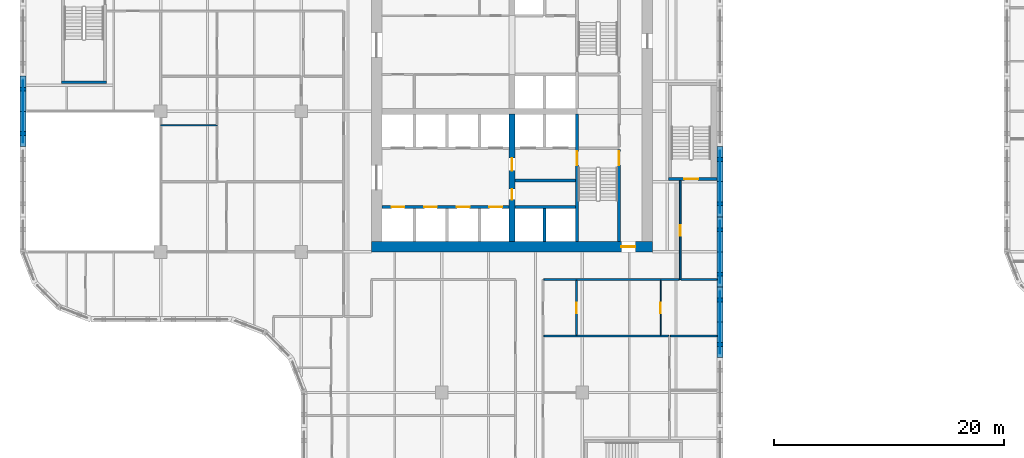
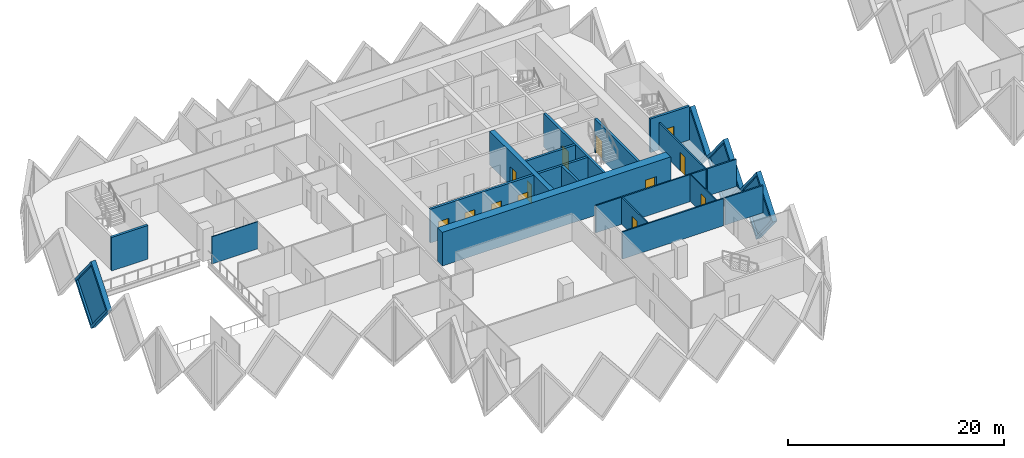
# One storey, part 7 of 19: 22 walls, 13 doors, 4 plates, 17 openings.
"""IFC4 building model written with IfcOpenShell, lengths in metres."""

from ifc_helpers import new_model, si_unit, direction, frame, frame_2d, origin, place, context, subcontext, project, spatial, polyline, rectangle, outline, extrude, faceted_brep, source, transform, mapped, material, layer, layer_set, type_object, element, fill, save


model = new_model("IFC4")

# Units and contexts
model_context = context("Model", 3, precision=1e-05, world=origin(), true_north=direction((0.0, 1.0)))
body_context = subcontext(model_context, "Body", "Model", "MODEL_VIEW")
ifc_project = project(units=[si_unit("LENGTHUNIT", "METRE"), si_unit("AREAUNIT", "SQUARE_METRE"), si_unit("VOLUMEUNIT", "CUBIC_METRE"), si_unit("PLANEANGLEUNIT", "RADIAN"), si_unit("MASSUNIT", "GRAM", prefix="KILO")], contexts=[model_context])

# Site, building, storey
site_placement = place(None, origin())
site = spatial("IfcSite", under=ifc_project, at=site_placement, CompositionType="ELEMENT")
building_placement = place(site_placement, origin())
building = spatial("IfcBuilding", under=site, at=building_placement, Name="Tessera Gate Towers", CompositionType="ELEMENT")
storey_placement = place(building_placement, frame((0.0, 0.0, 29.60009765625)))
storey = spatial("IfcBuildingStorey", under=building, at=storey_placement, Name="L06", CompositionType="ELEMENT", Elevation=29.60009765625)

# Wall, opening, door
ifc_material_1 = material(Name="Concrete C40/50", Category="concrete")
ifc_layer_1 = layer(ifc_material_1, 0.25)
ifc_layer_set_1 = layer_set([ifc_layer_1], Name="CORE ENCLOSURE WALL 250")
wall_type_1 = type_object("IfcWallType", Name="CORE ENCLOSURE WALL 250", PredefinedType="SOLIDWALL", material=ifc_layer_set_1)
wall_1_placement = place(storey_placement, frame((48.35009765625, 36.35009765625, 0.0), z_axis=(0.0, 0.0, 1.0), x_axis=(0.0, -1.0, 0.0)))
wall_1 = element("IfcWall", 1, at=wall_1_placement, inside=storey, type_object=wall_type_1, Name="L06 shaft and stair enclosure wall", PredefinedType="SOLIDWALL", context=body_context, shape_type="SweptSolid", body=[
    extrude(rectangle(XDim=11.050048828125, YDim=0.25, at=frame_2d((5.52490234375, 0.0))), origin(), (0.0, 0.0, 1.0), 3.7998046875),
])
shared_shape_1 = source(origin(), body_context, "Body", "SweptSolid", [
    extrude(rectangle(XDim=1.199951171875, YDim=2.10009765625, at=frame_2d((0.60009765625, 1.050048828125))), frame((0.0, 0.135009765625, 0.0), z_axis=(0.0, -1.0, 0.0), x_axis=(1.0, 0.0, 0.0)), (0.0, 0.0, 1.0), 0.27001953125),
])
opening_1_placement = place(wall_1_placement, frame((3.22509765625, 0.0, 0.0)))
opening_1 = element("IfcOpeningElement", 2, at=opening_1_placement, cuts=wall_1, Name="Opening SD-ST1-1", PredefinedType="OPENING", context=body_context, shape_type="MappedRepresentation", body=[
    mapped(shared_shape_1, transform((0.0, 0.0, 0.0), scale=1.0)),
])
ifc_material_2 = material(Name="Hollow steel fire door", Category="steel")
door_type_1 = type_object("IfcDoorType", Name="CORE DOOR SD 1200x2100", OperationType="NOTDEFINED", PredefinedType="DOOR", material=ifc_material_2)
shared_shape_2 = source(origin(), body_context, "Body", "SweptSolid", [
    extrude(rectangle(XDim=1.199951171875, YDim=2.10009765625, at=frame_2d((0.60009765625, 1.050048828125))), frame((0.0, 0.02490234375, 0.0), z_axis=(0.0, -1.0, 0.0), x_axis=(1.0, 0.0, 0.0)), (0.0, 0.0, 1.0), 0.050048828125),
])
door_1_placement = place(opening_1_placement, origin())
door_1 = element("IfcDoor", 3, at=door_1_placement, inside=storey, type_object=door_type_1, Name="Stair door", OperationType="SINGLE_SWING_LEFT", OverallHeight=2.10009765625, OverallWidth=1.199951171875, PredefinedType="DOOR", context=body_context, shape_type="MappedRepresentation", body=[
    mapped(shared_shape_2, transform((0.0, 0.0, 0.0), scale=1.0)),
])
fill(opening_1, door_1)

# Wall, openings, doors
wall_2_placement = place(storey_placement, frame((31.39990234375, 28.300048828125, 0.0), z_axis=(0.0, 0.0, 1.0), x_axis=(1.0, 0.0, 0.0)))
wall_2 = element("IfcWall", 4, at=wall_2_placement, inside=storey, type_object=wall_type_1, Name="L06 shaft and stair enclosure wall", PredefinedType="SOLIDWALL", context=body_context, shape_type="SweptSolid", body=[
    extrude(rectangle(XDim=11.050048828125, YDim=0.25, at=frame_2d((5.52490234375, 0.0))), origin(), (0.0, 0.0, 1.0), 3.7998046875),
])
shared_shape_3 = source(origin(), body_context, "Body", "SweptSolid", [
    extrude(rectangle(XDim=1.10009765625, YDim=2.10009765625, at=frame_2d((0.550048828125, 1.050048828125))), frame((0.0, 0.135009765625, 0.0), z_axis=(0.0, -1.0, 0.0), x_axis=(1.0, 0.0, 0.0)), (0.0, 0.0, 1.0), 0.27001953125),
])
opening_2_placement = place(wall_2_placement, frame((0.862548828125, 0.0, 0.0)))
opening_2 = element("IfcOpeningElement", 5, at=opening_2_placement, cuts=wall_2, Name="Opening LD-LR1", PredefinedType="OPENING", context=body_context, shape_type="MappedRepresentation", body=[
    mapped(shared_shape_3, transform((0.0, 0.0, 0.0), scale=1.0)),
])
opening_3_placement = place(wall_2_placement, frame((3.6875, 0.0, 0.0)))
opening_3 = element("IfcOpeningElement", 6, at=opening_3_placement, cuts=wall_2, Name="Opening LD-LR2", PredefinedType="OPENING", context=body_context, shape_type="MappedRepresentation", body=[
    mapped(shared_shape_3, transform((0.0, 0.0, 0.0), scale=1.0)),
])
opening_4_placement = place(wall_2_placement, frame((6.512451171875, 0.0, 0.0)))
opening_4 = element("IfcOpeningElement", 7, at=opening_4_placement, cuts=wall_2, Name="Opening LD-LR3", PredefinedType="OPENING", context=body_context, shape_type="MappedRepresentation", body=[
    mapped(shared_shape_3, transform((0.0, 0.0, 0.0), scale=1.0)),
])
opening_5_placement = place(wall_2_placement, frame((9.33740234375, 0.0, 0.0)))
opening_5 = element("IfcOpeningElement", 8, at=opening_5_placement, cuts=wall_2, Name="Opening LD-LR4", PredefinedType="OPENING", context=body_context, shape_type="MappedRepresentation", body=[
    mapped(shared_shape_3, transform((0.0, 0.0, 0.0), scale=1.0)),
])
ifc_material_3 = material(Name="Stainless steel", Category="steel")
door_type_2 = type_object("IfcDoorType", Name="CORE DOOR LD 1100x2100", OperationType="DOUBLE_DOOR_SLIDING", PredefinedType="DOOR", material=ifc_material_3)
shared_shape_4 = source(origin(), body_context, "Body", "SweptSolid", [
    extrude(rectangle(XDim=1.10009765625, YDim=2.10009765625, at=frame_2d((0.550048828125, 1.050048828125))), frame((0.0, 0.02490234375, 0.0), z_axis=(0.0, -1.0, 0.0), x_axis=(1.0, 0.0, 0.0)), (0.0, 0.0, 1.0), 0.050048828125),
])
door_2_placement = place(opening_2_placement, origin())
door_2 = element("IfcDoor", 9, at=door_2_placement, inside=storey, type_object=door_type_2, Name="Landing door LR1 L06", OperationType="DOUBLE_DOOR_SLIDING", OverallHeight=2.10009765625, OverallWidth=1.10009765625, PredefinedType="DOOR", context=body_context, shape_type="MappedRepresentation", body=[
    mapped(shared_shape_4, transform((0.0, 0.0, 0.0), scale=1.0)),
])
fill(opening_2, door_2)
door_3_placement = place(opening_3_placement, origin())
door_3 = element("IfcDoor", 10, at=door_3_placement, inside=storey, type_object=door_type_2, Name="Landing door LR2 L06", OperationType="DOUBLE_DOOR_SLIDING", OverallHeight=2.10009765625, OverallWidth=1.10009765625, PredefinedType="DOOR", context=body_context, shape_type="MappedRepresentation", body=[
    mapped(shared_shape_4, transform((0.0, 0.0, 0.0), scale=1.0)),
])
fill(opening_3, door_3)
door_4_placement = place(opening_4_placement, origin())
door_4 = element("IfcDoor", 11, at=door_4_placement, inside=storey, type_object=door_type_2, Name="Landing door LR3 L06", OperationType="DOUBLE_DOOR_SLIDING", OverallHeight=2.10009765625, OverallWidth=1.10009765625, PredefinedType="DOOR", context=body_context, shape_type="MappedRepresentation", body=[
    mapped(shared_shape_4, transform((0.0, 0.0, 0.0), scale=1.0)),
])
fill(opening_4, door_4)
door_5_placement = place(opening_5_placement, origin())
door_5 = element("IfcDoor", 12, at=door_5_placement, inside=storey, type_object=door_type_2, Name="Landing door LR4 L06", OperationType="DOUBLE_DOOR_SLIDING", OverallHeight=2.10009765625, OverallWidth=1.10009765625, PredefinedType="DOOR", context=body_context, shape_type="MappedRepresentation", body=[
    mapped(shared_shape_4, transform((0.0, 0.0, 0.0), scale=1.0)),
])
fill(opening_5, door_5)

# Wall
wall_3_placement = place(storey_placement, frame((42.949951171875, 28.300048828125, 0.0), z_axis=(0.0, 0.0, 1.0), x_axis=(1.0, 0.0, 0.0)))
element("IfcWall", 13, at=wall_3_placement, inside=storey, type_object=wall_type_1, Name="L06 shaft and stair enclosure wall", PredefinedType="SOLIDWALL", context=body_context, shape_type="SweptSolid", body=[
    extrude(rectangle(XDim=5.275146484375, YDim=0.25, at=frame_2d((2.6376953125, 0.0))), origin(), (0.0, 0.0, 1.0), 3.7998046875),
])

# Wall, opening, door
wall_4_placement = place(storey_placement, frame((52.0, 25.300048828125, 0.0), z_axis=(0.0, 0.0, 1.0), x_axis=(0.0, 1.0, 0.0)))
wall_4 = element("IfcWall", 14, at=wall_4_placement, inside=storey, type_object=wall_type_1, Name="L06 shaft and stair enclosure wall", PredefinedType="SOLIDWALL", context=body_context, shape_type="SweptSolid", body=[
    extrude(rectangle(XDim=7.974853515625, YDim=0.25, at=frame_2d((3.9873046875, 0.0))), origin(), (0.0, 0.0, 1.0), 3.7998046875),
])
opening_6_placement = place(wall_4_placement, frame((6.625, 0.0, 0.0)))
opening_6 = element("IfcOpeningElement", 15, at=opening_6_placement, cuts=wall_4, Name="Opening SD-ST1-2", PredefinedType="OPENING", context=body_context, shape_type="MappedRepresentation", body=[
    mapped(shared_shape_1, transform((0.0, 0.0, 0.0), scale=1.0)),
])
door_6_placement = place(opening_6_placement, origin())
door_6 = element("IfcDoor", 16, at=door_6_placement, inside=storey, type_object=door_type_1, Name="Stair door", OperationType="SINGLE_SWING_RIGHT", OverallHeight=2.10009765625, OverallWidth=1.199951171875, PredefinedType="DOOR", context=body_context, shape_type="MappedRepresentation", body=[
    mapped(shared_shape_2, transform((0.0, 0.0, 0.0), scale=1.0)),
])
fill(opening_6, door_6)

# Walls
wall_5_placement = place(storey_placement, frame((42.949951171875, 30.60009765625, 0.0), z_axis=(0.0, 0.0, 1.0), x_axis=(1.0, 0.0, 0.0)))
element("IfcWall", 17, at=wall_5_placement, inside=storey, type_object=wall_type_1, Name="L06 shaft and stair enclosure wall", PredefinedType="SOLIDWALL", context=body_context, shape_type="SweptSolid", body=[
    extrude(rectangle(XDim=5.275146484375, YDim=0.25, at=frame_2d((2.6376953125, 0.0))), origin(), (0.0, 0.0, 1.0), 3.7998046875),
])
wall_6_placement = place(storey_placement, frame((45.52490234375, 25.300048828125, 0.0), z_axis=(0.0, 0.0, 1.0), x_axis=(0.0, 1.0, 0.0)))
element("IfcWall", 18, at=wall_6_placement, inside=storey, type_object=wall_type_1, Name="L06 shaft and stair enclosure wall", PredefinedType="SOLIDWALL", context=body_context, shape_type="SweptSolid", body=[
    extrude(rectangle(XDim=2.875, YDim=0.25, at=frame_2d((1.4375, 0.0))), origin(), (0.0, 0.0, 1.0), 3.7998046875),
])
wall_7_placement = place(storey_placement, frame((7.5, 39.125, 0.0), z_axis=(0.0, 0.0, 1.0), x_axis=(-1.0, 0.0, 0.0)))
element("IfcWall", 19, at=wall_7_placement, inside=storey, type_object=wall_type_1, Name="L06 ST3 enclosure wall", PredefinedType="SOLIDWALL", context=body_context, shape_type="SweptSolid", body=[
    extrude(rectangle(XDim=3.89990234375, YDim=0.25, at=frame_2d((1.949951171875, 0.0))), origin(), (0.0, 0.0, 1.0), 3.7998046875),
])

# Wall, opening, door
wall_8_placement = place(storey_placement, frame((60.5, 30.72509765625, 0.0), z_axis=(0.0, 0.0, 1.0), x_axis=(-1.0, 0.0, 0.0)))
wall_8 = element("IfcWall", 20, at=wall_8_placement, inside=storey, type_object=wall_type_1, Name="L06 ST5 enclosure wall", PredefinedType="SOLIDWALL", context=body_context, shape_type="SweptSolid", body=[
    extrude(rectangle(XDim=4.199951171875, YDim=0.25, at=frame_2d((2.10009765625, 0.0))), origin(), (0.0, 0.0, 1.0), 3.7998046875),
])
opening_7_placement = place(wall_8_placement, frame((1.64990234375, 0.0, 0.0)))
opening_7 = element("IfcOpeningElement", 21, at=opening_7_placement, cuts=wall_8, Name="Opening SD-ST5-1", PredefinedType="OPENING", context=body_context, shape_type="MappedRepresentation", body=[
    mapped(shared_shape_1, transform((0.0, 0.0, 0.0), scale=1.0)),
])
door_7_placement = place(opening_7_placement, origin())
door_7 = element("IfcDoor", 22, at=door_7_placement, inside=storey, type_object=door_type_1, Name="Stair door", OperationType="SINGLE_SWING_RIGHT", OverallHeight=2.10009765625, OverallWidth=1.199951171875, PredefinedType="DOOR", context=body_context, shape_type="MappedRepresentation", body=[
    mapped(shared_shape_2, transform((0.0, 0.0, 0.0), scale=1.0)),
])
fill(opening_7, door_7)

ifc_material_4 = material(Name="Concrete C70/85", Category="concrete")
ifc_layer_2 = layer(ifc_material_4, 0.89990234375)
ifc_layer_set_2 = layer_set([ifc_layer_2], Name="CORE SHEAR WALL 900 C70/85")
wall_type_2 = type_object("IfcWallType", Name="CORE SHEAR WALL 900 C70/85", PredefinedType="SHEAR", material=ifc_layer_set_2)
wall_9_placement = place(storey_placement, frame((54.89990234375, 24.85009765625, 0.0), z_axis=(0.0, 0.0, 1.0), x_axis=(-1.0, 0.0, 0.0)))
wall_9 = element("IfcWall", 23, at=wall_9_placement, inside=storey, type_object=wall_type_2, Name="Core wall S L06", PredefinedType="SHEAR", context=body_context, shape_type="SweptSolid", body=[
    extrude(rectangle(XDim=24.39990234375, YDim=0.89990234375, at=frame_2d((12.199951171875, 0.0))), origin(), (0.0, 0.0, 1.0), 3.7998046875),
])
shared_shape_5 = source(origin(), body_context, "Body", "SweptSolid", [
    extrude(rectangle(XDim=1.199951171875, YDim=2.10009765625, at=frame_2d((0.60009765625, 1.050048828125))), frame((0.0, 0.4599609375, 0.0), z_axis=(0.0, -1.0, 0.0), x_axis=(1.0, 0.0, 0.0)), (0.0, 0.0, 1.0), 0.919921875),
])
opening_8_placement = place(wall_9_placement, frame((1.5, 0.0, 0.0)))
opening_8 = element("IfcOpeningElement", 24, at=opening_8_placement, cuts=wall_9, Name="Opening ED-T1-06-01", PredefinedType="OPENING", context=body_context, shape_type="MappedRepresentation", body=[
    mapped(shared_shape_5, transform((0.0, 0.0, 0.0), scale=1.0)),
])
ifc_material_5 = material(Name="Hollow steel fire door", Category="steel")
door_type_3 = type_object("IfcDoorType", Name="CORE DOOR ED 1200x2100", OperationType="NOTDEFINED", PredefinedType="DOOR", material=ifc_material_5)
door_8_placement = place(opening_8_placement, origin())
door_8 = element("IfcDoor", 25, at=door_8_placement, inside=storey, type_object=door_type_3, Name="Core exit door", OperationType="SINGLE_SWING_LEFT", OverallHeight=2.10009765625, OverallWidth=1.199951171875, PredefinedType="DOOR", context=body_context, shape_type="MappedRepresentation", body=[
    mapped(shared_shape_2, transform((0.0, 0.0, 0.0), scale=1.0)),
])
fill(opening_8, door_8)

# Wall, openings, doors
ifc_material_6 = material(Name="Concrete C70/85", Category="concrete")
ifc_layer_3 = layer(ifc_material_6, 0.5)
ifc_layer_set_3 = layer_set([ifc_layer_3], Name="CORE SPINE WALL 500 C70/85")
wall_type_3 = type_object("IfcWallType", Name="CORE SPINE WALL 500 C70/85", PredefinedType="SHEAR", material=ifc_layer_set_3)
wall_10_placement = place(storey_placement, frame((42.699951171875, 36.35009765625, 0.0), z_axis=(0.0, 0.0, 1.0), x_axis=(0.0, -1.0, 0.0)))
wall_10 = element("IfcWall", 26, at=wall_10_placement, inside=storey, type_object=wall_type_3, Name="Core wall spine L06", PredefinedType="SHEAR", context=body_context, shape_type="SweptSolid", body=[
    extrude(rectangle(XDim=11.050048828125, YDim=0.5, at=frame_2d((5.52490234375, 0.0))), origin(), (0.0, 0.0, 1.0), 3.7998046875),
])
shared_shape_6 = source(origin(), body_context, "Body", "SweptSolid", [
    extrude(rectangle(XDim=0.89990234375, YDim=2.10009765625, at=frame_2d((0.449951171875, 1.050048828125))), frame((0.0, 0.260009765625, 0.0), z_axis=(0.0, -1.0, 0.0), x_axis=(1.0, 0.0, 0.0)), (0.0, 0.0, 1.0), 0.52001953125),
])
opening_9_placement = place(wall_10_placement, frame((6.5, 0.0, 0.0)))
opening_9 = element("IfcOpeningElement", 27, at=opening_9_placement, cuts=wall_10, Name="Opening RD-T1-06-05", PredefinedType="OPENING", context=body_context, shape_type="MappedRepresentation", body=[
    mapped(shared_shape_6, transform((0.0, 0.0, 0.0), scale=1.0)),
])
shared_shape_7 = source(origin(), body_context, "Body", "SweptSolid", [
    extrude(rectangle(XDim=1.10009765625, YDim=2.10009765625, at=frame_2d((0.550048828125, 1.050048828125))), frame((0.0, 0.260009765625, 0.0), z_axis=(0.0, -1.0, 0.0), x_axis=(1.0, 0.0, 0.0)), (0.0, 0.0, 1.0), 0.52001953125),
])
opening_10_placement = place(wall_10_placement, frame((3.800048828125, 0.0, 0.0)))
opening_10 = element("IfcOpeningElement", 28, at=opening_10_placement, cuts=wall_10, Name="Opening FD-T1-06-06", PredefinedType="OPENING", context=body_context, shape_type="MappedRepresentation", body=[
    mapped(shared_shape_7, transform((0.0, 0.0, 0.0), scale=1.0)),
])
ifc_material_7 = material(Name="Hollow steel fire door", Category="steel")
door_type_4 = type_object("IfcDoorType", Name="CORE DOOR RD 900x2100", OperationType="NOTDEFINED", PredefinedType="DOOR", material=ifc_material_7)
shared_shape_8 = source(origin(), body_context, "Body", "SweptSolid", [
    extrude(rectangle(XDim=0.89990234375, YDim=2.10009765625, at=frame_2d((0.449951171875, 1.050048828125))), frame((0.0, 0.02490234375, 0.0), z_axis=(0.0, -1.0, 0.0), x_axis=(1.0, 0.0, 0.0)), (0.0, 0.0, 1.0), 0.050048828125),
])
door_9_placement = place(opening_9_placement, origin())
door_9 = element("IfcDoor", 29, at=door_9_placement, inside=storey, type_object=door_type_4, Name="Core room door", OperationType="SINGLE_SWING_RIGHT", OverallHeight=2.10009765625, OverallWidth=0.89990234375, PredefinedType="DOOR", context=body_context, shape_type="MappedRepresentation", body=[
    mapped(shared_shape_8, transform((0.0, 0.0, 0.0), scale=1.0)),
])
fill(opening_9, door_9)
ifc_material_8 = material(Name="Hollow steel fire door", Category="steel")
door_type_5 = type_object("IfcDoorType", Name="CORE DOOR FD 1100x2100", OperationType="NOTDEFINED", PredefinedType="DOOR", material=ifc_material_8)
door_10_placement = place(opening_10_placement, origin())
door_10 = element("IfcDoor", 30, at=door_10_placement, inside=storey, type_object=door_type_5, Name="Fire-fighting lobby door", OperationType="SINGLE_SWING_LEFT", OverallHeight=2.10009765625, OverallWidth=1.10009765625, PredefinedType="DOOR", context=body_context, shape_type="MappedRepresentation", body=[
    mapped(shared_shape_4, transform((0.0, 0.0, 0.0), scale=1.0)),
])
fill(opening_10, door_10)

# Wall
ifc_material_9 = material(Name="Gypsum board on steel studs, mineral wool", Category="steel")
ifc_layer_4 = layer(ifc_material_9, 0.14990234375)
ifc_layer_set_4 = layer_set([ifc_layer_4], Name="CORRIDOR WALL 150")
wall_type_4 = type_object("IfcWallType", Name="CORRIDOR WALL 150", PredefinedType="PARTITIONING", material=ifc_layer_set_4)
wall_11_placement = place(storey_placement, frame((45.47607421875, 22.0, 0.0), z_axis=(0.0, 0.0, 1.0), x_axis=(1.0, 0.0, 0.0)))
element("IfcWall", 31, at=wall_11_placement, inside=storey, type_object=wall_type_4, Name="T1-L06-PW-025", PredefinedType="PARTITIONING", context=body_context, shape_type="SweptSolid", body=[
    extrude(rectangle(XDim=11.748046875, YDim=0.14990234375, at=frame_2d((5.8740234375, 0.0))), origin(), (0.0, 0.0, 1.0), 3.06689453125),
])

# Wall, opening, door
wall_12_placement = place(storey_placement, frame((57.300048828125, 30.60009765625, 0.0), z_axis=(0.0, 0.0, 1.0), x_axis=(0.0, -1.0, 0.0)))
wall_12 = element("IfcWall", 32, at=wall_12_placement, inside=storey, type_object=wall_type_4, Name="T1-L06-PW-026", PredefinedType="PARTITIONING", context=body_context, shape_type="SweptSolid", body=[
    extrude(rectangle(XDim=8.60009765625, YDim=0.14990234375, at=frame_2d((4.300048828125, 0.0))), origin(), (0.0, 0.0, 1.0), 3.06689453125),
])
shared_shape_9 = source(origin(), body_context, "Body", "SweptSolid", [
    extrude(rectangle(XDim=0.89990234375, YDim=2.10009765625, at=frame_2d((0.449951171875, 1.050048828125))), frame((0.0, 0.0849609375, 0.0), z_axis=(0.0, -1.0, 0.0), x_axis=(1.0, 0.0, 0.0)), (0.0, 0.0, 1.0), 0.169921875),
])
opening_11_placement = place(wall_12_placement, frame((3.89990234375, 0.0, 0.0)))
opening_11 = element("IfcOpeningElement", 33, at=opening_11_placement, cuts=wall_12, Name="Opening D890FD60-A02-05", PredefinedType="OPENING", context=body_context, shape_type="MappedRepresentation", body=[
    mapped(shared_shape_9, transform((0.0, 0.0, 0.0), scale=1.0)),
])
ifc_material_10 = material(Name="Timber door leaf in steel frame", Category="steel")
door_type_6 = type_object("IfcDoorType", Name="CORRIDOR DOOR 900 FD60", OperationType="NOTDEFINED", PredefinedType="DOOR", material=ifc_material_10)
door_11_placement = place(opening_11_placement, origin())
door_11 = element("IfcDoor", 34, at=door_11_placement, inside=storey, type_object=door_type_6, Name="T1-L06-PD-025", OperationType="SINGLE_SWING_RIGHT", OverallHeight=2.10009765625, OverallWidth=0.89990234375, PredefinedType="DOOR", context=body_context, shape_type="MappedRepresentation", body=[
    mapped(shared_shape_8, transform((0.0, 0.0, 0.0), scale=1.0)),
])
fill(opening_11, door_11)

ifc_material_11 = material(Name="Gypsum board on steel studs", Category="steel")
ifc_layer_5 = layer(ifc_material_11, 0.10009765625)
ifc_layer_set_5 = layer_set([ifc_layer_5], Name="PARTITION 100")
wall_type_5 = type_object("IfcWallType", Name="PARTITION 100", PredefinedType="PARTITIONING", material=ifc_layer_set_5)
wall_13_placement = place(storey_placement, frame((55.60009765625, 21.924072265625, 0.0), z_axis=(0.0, 0.0, 1.0), x_axis=(0.0, -1.0, 0.0)))
wall_13 = element("IfcWall", 35, at=wall_13_placement, inside=storey, type_object=wall_type_5, Name="T1-L06-PW-018", PredefinedType="PARTITIONING", context=body_context, shape_type="SweptSolid", body=[
    extrude(rectangle(XDim=4.748046875, YDim=0.10009765625, at=frame_2d((2.3740234375, 0.0))), origin(), (0.0, 0.0, 1.0), 3.06689453125),
])
shared_shape_10 = source(origin(), body_context, "Body", "SweptSolid", [
    extrude(rectangle(XDim=0.89990234375, YDim=2.10009765625, at=frame_2d((0.449951171875, 1.050048828125))), frame((0.0, 0.06005859375, 0.0), z_axis=(0.0, -1.0, 0.0), x_axis=(1.0, 0.0, 0.0)), (0.0, 0.0, 1.0), 0.1201171875),
])
opening_12_placement = place(wall_13_placement, frame((1.947998046875, 0.0, 0.0)))
opening_12 = element("IfcOpeningElement", 36, at=opening_12_placement, cuts=wall_13, Name="Opening D190-A02-09", PredefinedType="OPENING", context=body_context, shape_type="MappedRepresentation", body=[
    mapped(shared_shape_10, transform((0.0, 0.0, 0.0), scale=1.0)),
])
ifc_material_12 = material(Name="Timber door leaf in steel frame", Category="steel")
door_type_7 = type_object("IfcDoorType", Name="INTERNAL DOOR 900 NOT RATED", OperationType="NOTDEFINED", PredefinedType="DOOR", material=ifc_material_12)
door_12_placement = place(opening_12_placement, origin())
door_12 = element("IfcDoor", 37, at=door_12_placement, inside=storey, type_object=door_type_7, Name="T1-L06-PD-011", OperationType="SINGLE_SWING_RIGHT", OverallHeight=2.10009765625, OverallWidth=0.89990234375, PredefinedType="DOOR", context=body_context, shape_type="MappedRepresentation", body=[
    mapped(shared_shape_8, transform((0.0, 0.0, 0.0), scale=1.0)),
])
fill(opening_12, door_12)

# Walls
wall_14_placement = place(storey_placement, frame((12.199951171875, 35.39501953125, 0.0), z_axis=(0.0, 0.0, 1.0), x_axis=(1.0, 0.0, 0.0)))
element("IfcWall", 38, at=wall_14_placement, inside=storey, type_object=wall_type_5, Name="T1-L06-PW-038", PredefinedType="PARTITIONING", context=body_context, shape_type="SweptSolid", body=[
    extrude(rectangle(XDim=4.900146484375, YDim=0.10009765625, at=frame_2d((2.4501953125, 0.0))), origin(), (0.0, 0.0, 1.0), 3.06689453125),
])
ifc_material_13 = material(Name="Gypsum board on steel studs, mineral wool", Category="steel")
ifc_layer_6 = layer(ifc_material_13, 0.14990234375)
ifc_layer_set_6 = layer_set([ifc_layer_6], Name="TENANCY WALL 150")
wall_type_6 = type_object("IfcWallType", Name="TENANCY WALL 150", PredefinedType="PARTITIONING", material=ifc_layer_set_6)
wall_15_placement = place(storey_placement, frame((45.47607421875, 17.10009765625, 0.0), z_axis=(0.0, 0.0, 1.0), x_axis=(1.0, 0.0, 0.0)))
element("IfcWall", 39, at=wall_15_placement, inside=storey, type_object=wall_type_6, Name="T1-L06-PW-015", PredefinedType="PARTITIONING", context=body_context, shape_type="SweptSolid", body=[
    extrude(rectangle(XDim=10.822998046875, YDim=0.14990234375, at=frame_2d((5.41162109375, 0.0))), origin(), (0.0, 0.0, 1.0), 3.06689453125),
])
wall_16_placement = place(storey_placement, frame((56.450927734375, 17.10009765625, 0.0), z_axis=(0.0, 0.0, 1.0), x_axis=(1.0, 0.0, 0.0)))
element("IfcWall", 40, at=wall_16_placement, inside=storey, type_object=wall_type_6, Name="T1-L06-PW-016", PredefinedType="PARTITIONING", context=body_context, shape_type="SweptSolid", body=[
    extrude(rectangle(XDim=4.049072265625, YDim=0.14990234375, at=frame_2d((2.0244140625, 0.0))), origin(), (0.0, 0.0, 1.0), 3.06689453125),
])

# Wall, opening, door
wall_17_placement = place(storey_placement, frame((48.300048828125, 21.924072265625, 0.0), z_axis=(0.0, 0.0, 1.0), x_axis=(0.0, -1.0, 0.0)))
wall_17 = element("IfcWall", 41, at=wall_17_placement, inside=storey, type_object=wall_type_6, Name="T1-L06-PW-017", PredefinedType="PARTITIONING", context=body_context, shape_type="SweptSolid", body=[
    extrude(rectangle(XDim=4.748046875, YDim=0.14990234375, at=frame_2d((2.3740234375, 0.0))), origin(), (0.0, 0.0, 1.0), 3.06689453125),
])
opening_13_placement = place(wall_17_placement, frame((1.947998046875, 0.0, 0.0)))
opening_13 = element("IfcOpeningElement", 42, at=opening_13_placement, cuts=wall_17, Name="Opening D190-A02-08", PredefinedType="OPENING", context=body_context, shape_type="MappedRepresentation", body=[
    mapped(shared_shape_9, transform((0.0, 0.0, 0.0), scale=1.0)),
])
door_13_placement = place(opening_13_placement, origin())
door_13 = element("IfcDoor", 43, at=door_13_placement, inside=storey, type_object=door_type_7, Name="T1-L06-PD-010", OperationType="SINGLE_SWING_RIGHT", OverallHeight=2.10009765625, OverallWidth=0.89990234375, PredefinedType="DOOR", context=body_context, shape_type="MappedRepresentation", body=[
    mapped(shared_shape_8, transform((0.0, 0.0, 0.0), scale=1.0)),
])
fill(opening_13, door_13)

# Wall
wall_18_placement = place(storey_placement, frame((57.3759765625, 22.0, 0.0), z_axis=(0.0, 0.0, 1.0), x_axis=(1.0, 0.0, 0.0)))
element("IfcWall", 44, at=wall_18_placement, inside=storey, type_object=wall_type_6, Name="T1-L06-PW-027", PredefinedType="PARTITIONING", context=body_context, shape_type="SweptSolid", body=[
    extrude(rectangle(XDim=3.1240234375, YDim=0.14990234375, at=frame_2d((1.56201171875, 0.0))), origin(), (0.0, 0.0, 1.0), 3.06689453125),
])

# Wall, opening, plate
ifc_material_14 = material(Name="Precast concrete C60/75 white", Category="concrete")
ifc_layer_7 = layer(ifc_material_14, 0.5)
ifc_layer_set_7 = layer_set([ifc_layer_7], Name="TS1 tessera")
wall_type_7 = type_object("IfcWallType", Name="TS1 tessera", PredefinedType="SOLIDWALL", material=ifc_layer_set_7)
shared_shape_11 = source(origin(), body_context, "Body", "Brep", [
    faceted_brep([(3.050048828125, -0.25, 0.0), (6.099853515625, -0.25, 3.7998046875), (6.099853515625, -0.25, 3.80029296875), (3.050048828125, -0.25, 7.599853515625), (0.0, -0.25, 3.800048828125), (0.0, 0.25, 3.800048828125), (3.050048828125, 0.25, 7.599853515625), (6.099853515625, 0.25, 3.80029296875), (6.099853515625, 0.25, 3.7998046875), (3.050048828125, 0.25, 0.0)], [[[0, 1, 2, 3, 4]], [[5, 6, 7, 8, 9]], [[9, 8, 1, 0]], [[7, 6, 3, 2]], [[6, 5, 4, 3]], [[5, 9, 0, 4]], [[1, 8, 7, 2]]]),
])
wall_19_placement = place(storey_placement, frame((60.75, 21.35009765625, -3.800048828125), z_axis=(0.0, 0.0, 1.0), x_axis=(0.0, 1.0, 0.0)))
wall_19 = element("IfcWall", 45, at=wall_19_placement, inside=storey, type_object=wall_type_7, Name="Precast tessera T1 TS1-0029", PredefinedType="SOLIDWALL", context=body_context, shape_type="MappedRepresentation", body=[
    mapped(shared_shape_11, transform((0.0, 0.0, 0.0), scale=1.0)),
])
shared_shape_12 = source(origin(), body_context, "Body", "SweptSolid", [
    extrude(outline(polyline([(3.050048828125, 0.3994140625), (5.779541015625, 3.800048828125), (3.050048828125, 7.200439453125), (0.320556640625, 3.800048828125), (3.050048828125, 0.3994140625)])), frame((0.0, 0.260009765625, 0.0), z_axis=(0.0, -1.0, 0.0), x_axis=(1.0, 0.0, 0.0)), (0.0, 0.0, 1.0), 0.52001953125),
])
opening_14_placement = place(wall_19_placement, origin())
opening_14 = element("IfcOpeningElement", 46, at=opening_14_placement, cuts=wall_19, Name="Opening T1-PL2-0057", PredefinedType="OPENING", context=body_context, shape_type="MappedRepresentation", body=[
    mapped(shared_shape_12, transform((0.0, 0.0, 0.0), scale=1.0)),
])
ifc_material_15 = material(Name="Low-e laminated glass", Category="glass")
ifc_layer_8 = layer(ifc_material_15, 0.06005859375)
ifc_layer_set_8 = layer_set([ifc_layer_8], Name="PL2 rhombic pane")
plate_type = type_object("IfcPlateType", Name="PL2 rhombic pane", PredefinedType="SHEET", material=ifc_layer_set_8)
shared_shape_13 = source(origin(), body_context, "Body", "SweptSolid", [
    extrude(outline(polyline([(3.050048828125, 0.3994140625), (5.779541015625, 3.800048828125), (3.050048828125, 7.200439453125), (0.320556640625, 3.800048828125), (3.050048828125, 0.3994140625)])), frame((0.0, 0.030029296875, 0.0), z_axis=(0.0, -1.0, 0.0), x_axis=(1.0, 0.0, 0.0)), (0.0, 0.0, 1.0), 0.06005859375),
])
plate_1_placement = place(opening_14_placement, origin())
plate_1 = element("IfcPlate", 47, at=plate_1_placement, inside=storey, type_object=plate_type, Name="Glass pane T1 PL2-0057", PredefinedType="SHEET", context=body_context, shape_type="MappedRepresentation", body=[
    mapped(shared_shape_13, transform((0.0, 0.0, 0.0), scale=1.0)),
])
fill(opening_14, plate_1)

wall_20_placement = place(storey_placement, frame((0.25, 39.64990234375, -3.800048828125), z_axis=(0.0, 0.0, 1.0), x_axis=(0.0, -1.0, 0.0)))
wall_20 = element("IfcWall", 48, at=wall_20_placement, inside=storey, type_object=wall_type_7, Name="Precast tessera T1 TS1-0042", PredefinedType="SOLIDWALL", context=body_context, shape_type="MappedRepresentation", body=[
    mapped(shared_shape_11, transform((0.0, 0.0, 0.0), scale=1.0)),
])
opening_15_placement = place(wall_20_placement, origin())
opening_15 = element("IfcOpeningElement", 49, at=opening_15_placement, cuts=wall_20, Name="Opening T1-PL2-0078", PredefinedType="OPENING", context=body_context, shape_type="MappedRepresentation", body=[
    mapped(shared_shape_12, transform((0.0, 0.0, 0.0), scale=1.0)),
])
plate_2_placement = place(opening_15_placement, origin())
plate_2 = element("IfcPlate", 50, at=plate_2_placement, inside=storey, type_object=plate_type, Name="Glass pane T1 PL2-0078", PredefinedType="SHEET", context=body_context, shape_type="MappedRepresentation", body=[
    mapped(shared_shape_13, transform((0.0, 0.0, 0.0), scale=1.0)),
])
fill(opening_15, plate_2)

shared_shape_14 = source(origin(), body_context, "Body", "SweptSolid", [
    extrude(outline(polyline([(3.050048828125, 0.0), (6.10009765625, 3.800048828125), (3.050048828125, 7.599853515625), (0.0, 3.800048828125), (3.050048828125, 0.0)])), frame((0.0, 0.25, 0.0), z_axis=(0.0, -1.0, 0.0), x_axis=(1.0, 0.0, 0.0)), (0.0, 0.0, 1.0), 0.5),
])
wall_21_placement = place(storey_placement, frame((60.75, 15.25, -3.800048828125), z_axis=(0.0, 0.0, 1.0), x_axis=(0.0, 1.0, 0.0)))
wall_21 = element("IfcWall", 51, at=wall_21_placement, inside=storey, type_object=wall_type_7, Name="Precast tessera T1 TS1-0028", PredefinedType="SOLIDWALL", context=body_context, shape_type="MappedRepresentation", body=[
    mapped(shared_shape_14, transform((0.0, 0.0, 0.0), scale=1.0)),
])
opening_16_placement = place(wall_21_placement, origin())
opening_16 = element("IfcOpeningElement", 52, at=opening_16_placement, cuts=wall_21, Name="Opening T1-PL2-0056", PredefinedType="OPENING", context=body_context, shape_type="MappedRepresentation", body=[
    mapped(shared_shape_12, transform((0.0, 0.0, 0.0), scale=1.0)),
])
plate_3_placement = place(opening_16_placement, origin())
plate_3 = element("IfcPlate", 53, at=plate_3_placement, inside=storey, type_object=plate_type, Name="Glass pane T1 PL2-0056", PredefinedType="SHEET", context=body_context, shape_type="MappedRepresentation", body=[
    mapped(shared_shape_13, transform((0.0, 0.0, 0.0), scale=1.0)),
])
fill(opening_16, plate_3)

wall_22_placement = place(storey_placement, frame((60.75, 27.449951171875, -3.800048828125), z_axis=(0.0, 0.0, 1.0), x_axis=(0.0, 1.0, 0.0)))
wall_22 = element("IfcWall", 54, at=wall_22_placement, inside=storey, type_object=wall_type_7, Name="Precast tessera T1 TS1-0030", PredefinedType="SOLIDWALL", context=body_context, shape_type="MappedRepresentation", body=[
    mapped(shared_shape_14, transform((0.0, 0.0, 0.0), scale=1.0)),
])
opening_17_placement = place(wall_22_placement, origin())
opening_17 = element("IfcOpeningElement", 55, at=opening_17_placement, cuts=wall_22, Name="Opening T1-PL2-0058", PredefinedType="OPENING", context=body_context, shape_type="MappedRepresentation", body=[
    mapped(shared_shape_12, transform((0.0, 0.0, 0.0), scale=1.0)),
])
plate_4_placement = place(opening_17_placement, origin())
plate_4 = element("IfcPlate", 56, at=plate_4_placement, inside=storey, type_object=plate_type, Name="Glass pane T1 PL2-0058", PredefinedType="SHEET", context=body_context, shape_type="MappedRepresentation", body=[
    mapped(shared_shape_13, transform((0.0, 0.0, 0.0), scale=1.0)),
])
fill(opening_17, plate_4)

save(model, "model.ifc")
